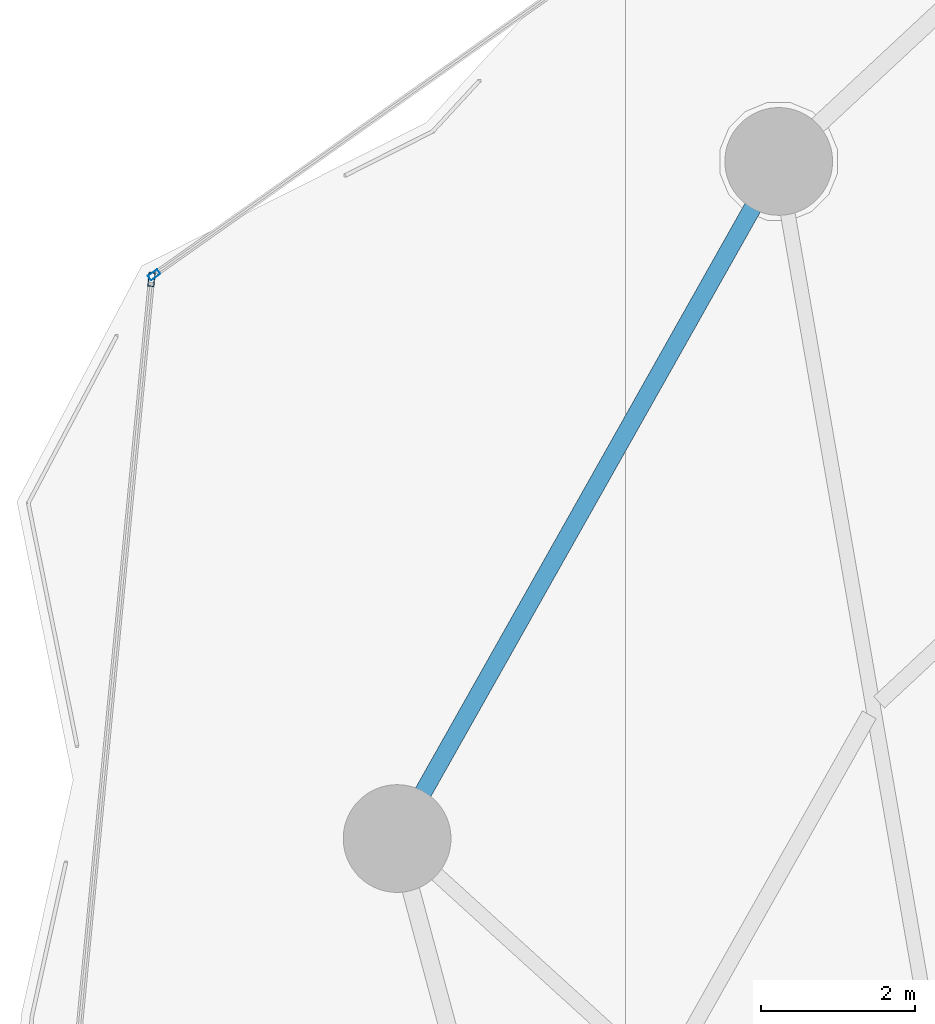
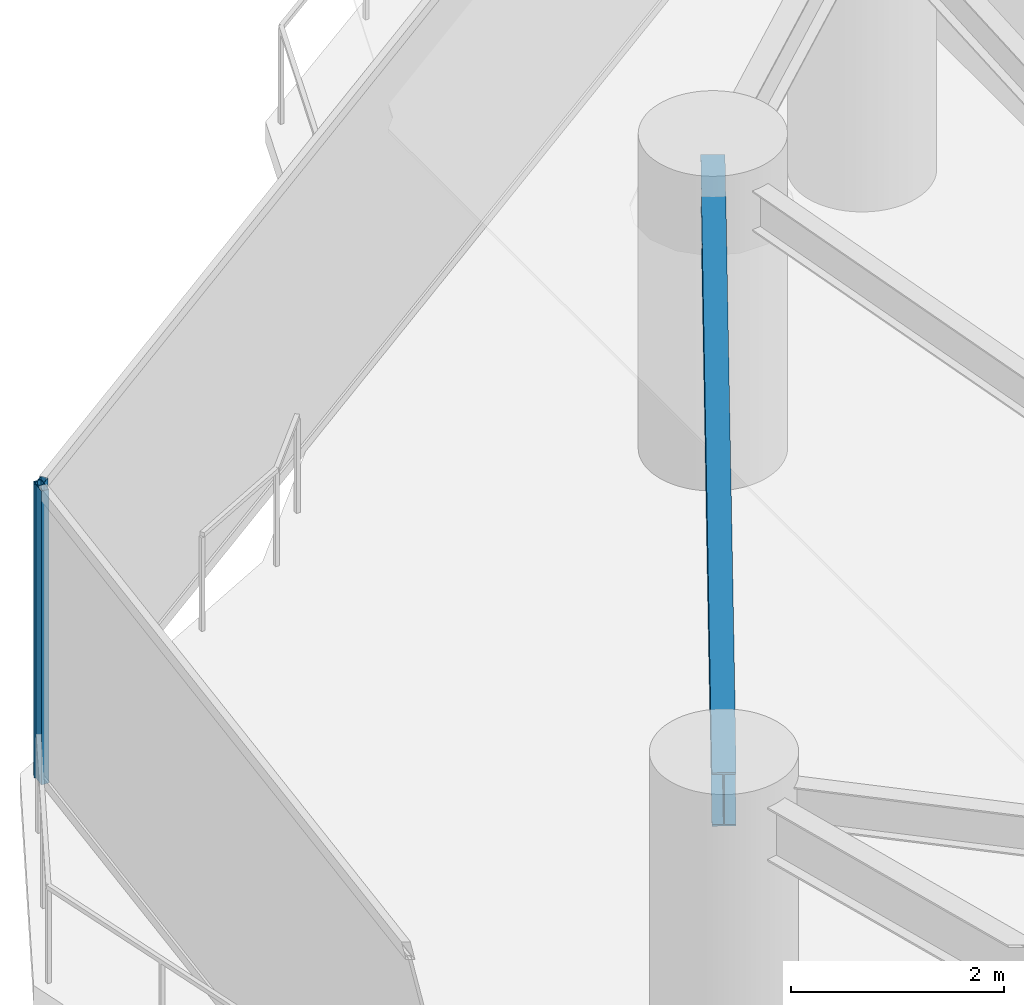
# One storey, part 15 of 32: 2 members, 1 beam, 2 elements without a shape of their own.
"""IFC4 building model written with IfcOpenShell, lengths in metres."""

import ifcopenshell
import ifcopenshell.guid

model = None  # the IFC model being written
_history = None  # IfcOwnerHistory: only IFC2X3 demands one
_inside = {}  # id of a spatial element -> (the spatial element, [elements in it])
_under = {}  # id of a project, library or spatial element -> (it, [spatial elements below it])
_declared = {}  # id of a project -> (the project, [libraries it declares])
_typed = {}  # id of a type object -> (the type object, [elements of that type])
_made_of = {}  # id of a material, layer set ... -> (it, [elements and type objects made of it])


def new_model(schema):
    """Start an empty IFC model of exactly this schema.

    Asked for "IFC4X3", IfcOpenShell would pick the latest addendum, in which some entities
    have other attributes; the version numbers below select the first issue.
    IFC2X3 requires an IfcOwnerHistory on every rooted entity: one is made here for all.
    """
    global model, _history
    if schema == "IFC4X3":
        model = ifcopenshell.file(schema_version=(4, 3, 0, 0))
    else:
        model = ifcopenshell.file(schema=schema)
    _inside.clear()
    _under.clear()
    _declared.clear()
    _typed.clear()
    _made_of.clear()
    _history = None
    if model.schema == "IFC2X3":
        org = make("IfcOrganization", Name="unknown")
        user = make(
            "IfcPersonAndOrganization",
            ThePerson=make("IfcPerson", FamilyName="unknown"),
            TheOrganization=org,
        )
        app = make(
            "IfcApplication",
            ApplicationDeveloper=org,
            Version="unknown",
            ApplicationFullName="unknown",
            ApplicationIdentifier="unknown",
        )
        _history = make(
            "IfcOwnerHistory",
            OwningUser=user,
            OwningApplication=app,
            ChangeAction="ADDED",
            CreationDate=0,
        )
    return model


def make(cls, **values):
    """One entity of the class cls with the attributes given. An attribute that is None is left unset."""
    return model.create_entity(
        cls, **{name: value for name, value in values.items() if value is not None}
    )


def rooted(cls, **values):
    """An entity with a GlobalId (a new one), such as an element, a storey or a relation."""
    return make(cls, GlobalId=ifcopenshell.guid.new(), OwnerHistory=_history, **values)


def si_unit(unit_type, name, prefix=None):
    """IfcSIUnit, for example si_unit("LENGTHUNIT", "METRE", prefix="MILLI")."""
    return make("IfcSIUnit", UnitType=unit_type, Prefix=prefix, Name=name)


def assignment(units):
    """IfcUnitAssignment: the units of a project."""
    return None if units is None else make("IfcUnitAssignment", Units=units)


def point(xyz):
    """IfcCartesianPoint."""
    return None if xyz is None else make("IfcCartesianPoint", Coordinates=xyz)


def direction(xyz):
    """IfcDirection."""
    return None if xyz is None else make("IfcDirection", DirectionRatios=xyz)


def frame(location, z_axis=None, x_axis=None):
    """IfcAxis2Placement3D, a coordinate frame: its origin and axes. An axis left out is left unset."""
    return make(
        "IfcAxis2Placement3D",
        Location=point(location),
        Axis=direction(z_axis),
        RefDirection=direction(x_axis),
    )


def frame_2d(location, x_axis=None):
    """IfcAxis2Placement2D, a coordinate frame in the plane: its origin and x axis."""
    return make(
        "IfcAxis2Placement2D", Location=point(location), RefDirection=direction(x_axis)
    )


def origin():
    """The frame at (0, 0, 0) with its axes left unset."""
    return frame((0.0, 0.0, 0.0))


def origin_2d():
    """The frame at (0, 0) in the plane with its x axis left unset."""
    return frame_2d((0.0, 0.0))


def place(relative_to, where):
    """IfcLocalPlacement: puts the frame where relative to a parent placement (None: the world)."""
    return make(
        "IfcLocalPlacement", PlacementRelTo=relative_to, RelativePlacement=where
    )


def context(
    kind, dimensions, precision=None, world=None, true_north=None, identifier=None
):
    """IfcGeometricRepresentationContext, for example the 3D "Model" context."""
    return make(
        "IfcGeometricRepresentationContext",
        ContextIdentifier=identifier,
        ContextType=kind,
        CoordinateSpaceDimension=dimensions,
        Precision=precision,
        WorldCoordinateSystem=world,
        TrueNorth=true_north,
    )


def subcontext(parent, identifier, kind, view, scale=None):
    """IfcGeometricRepresentationSubContext, for example "Body" below "Model"."""
    return make(
        "IfcGeometricRepresentationSubContext",
        ContextIdentifier=identifier,
        ContextType=kind,
        ParentContext=parent,
        TargetScale=scale,
        TargetView=view,
    )


def project(units=None, contexts=None):
    """IfcProject with its units and contexts."""
    return rooted(
        "IfcProject",
        Name="project",
        RepresentationContexts=contexts,
        UnitsInContext=assignment(units),
    )


def spatial(cls, under=None, at=None, **own):
    """A site, building, storey or space (cls), placed at a placement, below another one or the project."""
    s = rooted(cls, ObjectPlacement=at, **own)
    if under is not None:
        _under.setdefault(under.id(), (under, []))[1].append(s)
    return s


def profile(cls, at=None, kind="AREA", **sizes):
    """A parametric profile (cls). Its sizes go by their IFC names, for example OverallWidth=200.0."""
    return make(cls, ProfileType=kind, Position=at, **sizes)


def hollow_rectangle(**sizes):
    """IfcRectangleHollowProfileDef."""
    return profile("IfcRectangleHollowProfileDef", **sizes)


def i_section(**sizes):
    """IfcIShapeProfileDef."""
    return profile("IfcIShapeProfileDef", **sizes)


def extrude(swept, where, along, depth):
    """IfcExtrudedAreaSolid: the profile swept, set in the frame where, extruded along a direction by depth."""
    return make(
        "IfcExtrudedAreaSolid",
        SweptArea=swept,
        Position=where,
        ExtrudedDirection=direction(along),
        Depth=depth,
    )


def shape(context_of_items, identifier, shape_type, items):
    """IfcShapeRepresentation: the items that make up one representation, for example the "Body"."""
    return make(
        "IfcShapeRepresentation",
        ContextOfItems=context_of_items,
        RepresentationIdentifier=identifier,
        RepresentationType=shape_type,
        Items=items,
    )


def material(Name=None, Category=None):
    """IfcMaterial."""
    return make("IfcMaterial", Name=Name, Category=Category)


def layer(
    of_material, thickness, ventilated=None, Name=None, Category=None, Priority=None
):
    """IfcMaterialLayer: one layer of a wall or slab, of a material (None: an air gap)."""
    return make(
        "IfcMaterialLayer",
        Material=of_material,
        LayerThickness=thickness,
        IsVentilated=ventilated,
        Name=Name,
        Category=Category,
        Priority=Priority,
    )


def layer_set(layers, Name=None):
    """IfcMaterialLayerSet."""
    return make("IfcMaterialLayerSet", MaterialLayers=layers, LayerSetName=Name)


def material_profile(
    of_material, cross_section, Name=None, Category=None, Priority=None
):
    """IfcMaterialProfile: a cross section and its material."""
    return make(
        "IfcMaterialProfile",
        Name=Name,
        Material=of_material,
        Profile=cross_section,
        Priority=Priority,
        Category=Category,
    )


def profile_set(profiles, Name=None, composite=None):
    """IfcMaterialProfileSet."""
    return make(
        "IfcMaterialProfileSet",
        Name=Name,
        MaterialProfiles=profiles,
        CompositeProfile=composite,
    )


def made_of(thing, what):
    """Note that an element or type object is made of a material, layer set ...; save() writes the relation."""
    if what is not None:
        _made_of.setdefault(what.id(), (what, []))[1].append(thing)
    return thing


def type_object(cls, material=None, **own):
    """A type object (cls), such as IfcWallType, which elements share."""
    return made_of(rooted(cls, **own), material)


def element(
    cls,
    number,
    at=None,
    inside=None,
    cuts=None,
    type_object=None,
    material=None,
    context=None,
    identifier="Body",
    shape_type=None,
    held_by="IfcProductDefinitionShape",
    body=None,
    shapes=None,
    **own,
):
    """One element of the class cls, such as IfcWall. Its Tag is "e" and its number.

    at: its placement. inside: the storey or other place that contains it. cuts: it is an
    opening in that element (IfcRelVoidsElement). A single representation is given by context,
    identifier, shape_type and body (its items); several are given by shapes. held_by: the class
    of the entity that holds the representations. save() writes the other relations.
    """
    e = rooted(cls, Tag="e%d" % number, ObjectPlacement=at, **own)
    if body is not None:
        shapes = [shape(context, identifier, shape_type, body)]
    if shapes is not None:
        e.Representation = make(held_by, Representations=shapes)
    if inside is not None:
        _inside.setdefault(inside.id(), (inside, []))[1].append(e)
    if cuts is not None:
        rooted(
            "IfcRelVoidsElement", RelatingBuildingElement=cuts, RelatedOpeningElement=e
        )
    if type_object is not None:
        _typed.setdefault(type_object.id(), (type_object, []))[1].append(e)
    return made_of(e, material)


def aggregate(whole, parts):
    """IfcRelAggregates: a whole, such as a stair, and the parts it consists of."""
    return rooted("IfcRelAggregates", RelatingObject=whole, RelatedObjects=parts)


def save(model, path):
    """Write the relations noted so far, then the file.

    IfcRelAggregates (storeys below a building ...), IfcRelContainedInSpatialStructure (elements
    in a storey), IfcRelDefinesByType, IfcRelAssociatesMaterial and IfcRelDeclares: one each for
    every whole, place, type object, material and project.
    """
    for whole, parts in _under.values():
        aggregate(whole, parts)
    for where, things in _inside.values():
        rooted(
            "IfcRelContainedInSpatialStructure",
            RelatedElements=things,
            RelatingStructure=where,
        )
    for kind, things in _typed.values():
        rooted("IfcRelDefinesByType", RelatedObjects=things, RelatingType=kind)
    for what, things in _made_of.values():
        rooted("IfcRelAssociatesMaterial", RelatedObjects=things, RelatingMaterial=what)
    for by, libraries in _declared.values():
        rooted("IfcRelDeclares", RelatingContext=by, RelatedDefinitions=libraries)
    model.write(path)


model = new_model("IFC4")

# Units and contexts
model_context = context("Model", 3, precision=1e-05, world=origin(), true_north=direction((0.0, 1.0)))
body_context = subcontext(model_context, "Body", "Model", "MODEL_VIEW")
ifc_project = project(units=[si_unit("LENGTHUNIT", "METRE"), si_unit("AREAUNIT", "SQUARE_METRE"), si_unit("VOLUMEUNIT", "CUBIC_METRE"), si_unit("PLANEANGLEUNIT", "RADIAN"), si_unit("MASSUNIT", "GRAM", prefix="KILO")], contexts=[model_context])

# Site, building, storey
site_placement = place(None, origin())
site = spatial("IfcSite", under=ifc_project, at=site_placement, CompositionType="ELEMENT")
building_placement = place(site_placement, origin())
building = spatial("IfcBuilding", under=site, at=building_placement, Name="Kazevale Care Tower and Concert Hall", CompositionType="ELEMENT")
storey_placement = place(building_placement, frame((0.0, 0.0, 38.39990234375)))
storey = spatial("IfcBuildingStorey", under=building, at=storey_placement, Name="L09", CompositionType="ELEMENT", Elevation=38.39990234375)

# Curtain wall, member
ifc_material_1 = material(Name="Aluminium 6063-T6 and Low-E Glass", Category="aluminium")
ifc_layer_1 = layer(ifc_material_1, 0.179931640625)
ifc_layer_set_1 = layer_set([ifc_layer_1], Name="Aluminium 6063-T6 and Low-E Glass")
curtain_wall_type_1 = type_object("IfcCurtainWallType", Name="Convex Recessed Sunroom Curtain Wall CW-3", PredefinedType="NOTDEFINED", material=ifc_layer_set_1)
curtain_wall_1_placement = place(storey_placement, origin())
curtain_wall_1 = element("IfcCurtainWall", 1, at=curtain_wall_1_placement, inside=storey, type_object=curtain_wall_type_1, Name="cw:L09:f14", PredefinedType="NOTDEFINED")
ifc_material_2 = material(Name="Aluminium 6063-T6", Category="aluminium")
ifc_material_profile_1 = material_profile(ifc_material_2, hollow_rectangle(XDim=0.074951171875, YDim=0.14990234375, WallThickness=0.00390625, at=origin_2d()), Name="ALU75x150x4")
ifc_profile_set_1 = profile_set([ifc_material_profile_1], Name="Aluminium 6063-T6")
member_type_1 = type_object("IfcMemberType", Name="CW-3 Mullion ALU75x150x4", PredefinedType="MULLION", material=ifc_profile_set_1)
member_1_placement = place(storey_placement, frame((11.151611328125, 50.70751953125, 0.0), z_axis=(0.0, 0.0, 1.0), x_axis=(-0.57692895392, 0.816794332821, 0.0)))
member_1 = element("IfcMember", 2, at=member_1_placement, type_object=member_type_1, Name="CW-3 mullion 1", PredefinedType="MULLION", context=body_context, shape_type="SweptSolid", body=[
    extrude(hollow_rectangle(XDim=0.074951171875, YDim=0.14990234375, WallThickness=0.00390625, at=origin_2d()), origin(), (0.0, 0.0, 1.0), 3.360107421875),
])
aggregate(curtain_wall_1, [member_1])

ifc_layer_2 = layer(ifc_material_1, 0.179931640625)
ifc_layer_set_2 = layer_set([ifc_layer_2], Name="Aluminium 6063-T6 and Low-E Glass")
curtain_wall_type_2 = type_object("IfcCurtainWallType", Name="Waist & Upper Residential Curtain Wall CW-4", PredefinedType="NOTDEFINED", material=ifc_layer_set_2)
curtain_wall_2_placement = place(storey_placement, origin())
curtain_wall_2 = element("IfcCurtainWall", 3, at=curtain_wall_2_placement, inside=storey, type_object=curtain_wall_type_2, Name="cw:L09:f13", PredefinedType="NOTDEFINED")
ifc_material_profile_2 = material_profile(ifc_material_2, hollow_rectangle(XDim=0.080078125, YDim=0.179931640625, WallThickness=0.0048828125, at=origin_2d()), Name="ALU80x180x5")
ifc_profile_set_2 = profile_set([ifc_material_profile_2], Name="Aluminium 6063-T6")
member_type_2 = type_object("IfcMemberType", Name="CW-4 Mullion ALU80x180x5", PredefinedType="MULLION", material=ifc_profile_set_2)
member_2_placement = place(storey_placement, frame((11.1171875, 50.646240234375, 0.0), z_axis=(0.0, 0.0, 1.0), x_axis=(-0.995380693067, 0.096006644923, 0.0)))
member_2 = element("IfcMember", 4, at=member_2_placement, type_object=member_type_2, Name="CW-4 mullion 2", PredefinedType="MULLION", context=body_context, shape_type="SweptSolid", body=[
    extrude(hollow_rectangle(XDim=0.080078125, YDim=0.179931640625, WallThickness=0.0048828125, at=origin_2d()), origin(), (0.0, 0.0, 1.0), 3.360107421875),
])
aggregate(curtain_wall_2, [member_2])

# Beam
ifc_material_3 = material(Name="Steel ASTM A572 Gr 50", Category="steel")
ifc_material_profile_3 = material_profile(ifc_material_3, i_section(OverallWidth=0.22900390625, OverallDepth=0.612060546875, WebThickness=0.011962890625, FlangeThickness=0.01953125, at=origin_2d()), Name="W610x125")
ifc_profile_set_3 = profile_set([ifc_material_profile_3], Name="Steel ASTM A572 Gr 50")
beam_type = type_object("IfcBeamType", Name="Ring Spandrel Beam W610x125", PredefinedType="SPANDREL", material=ifc_profile_set_3)
beam_placement = place(storey_placement, frame((19.27001953125, 52.179931640625, 3.05419921875), z_axis=(-0.491008061092, -0.87115502865, 0.0), x_axis=(0.87115502865, -0.491008061092, 0.0)))
element("IfcBeam", 5, at=beam_placement, inside=storey, type_object=beam_type, Name="beam:L09:ring:08", PredefinedType="SPANDREL", context=body_context, shape_type="SweptSolid", body=[
    extrude(i_section(OverallWidth=0.22900390625, OverallDepth=0.612060546875, WebThickness=0.011962890625, FlangeThickness=0.01953125, at=origin_2d()), origin(), (0.0, 0.0, 1.0), 10.1015625),
])

save(model, "model.ifc")
